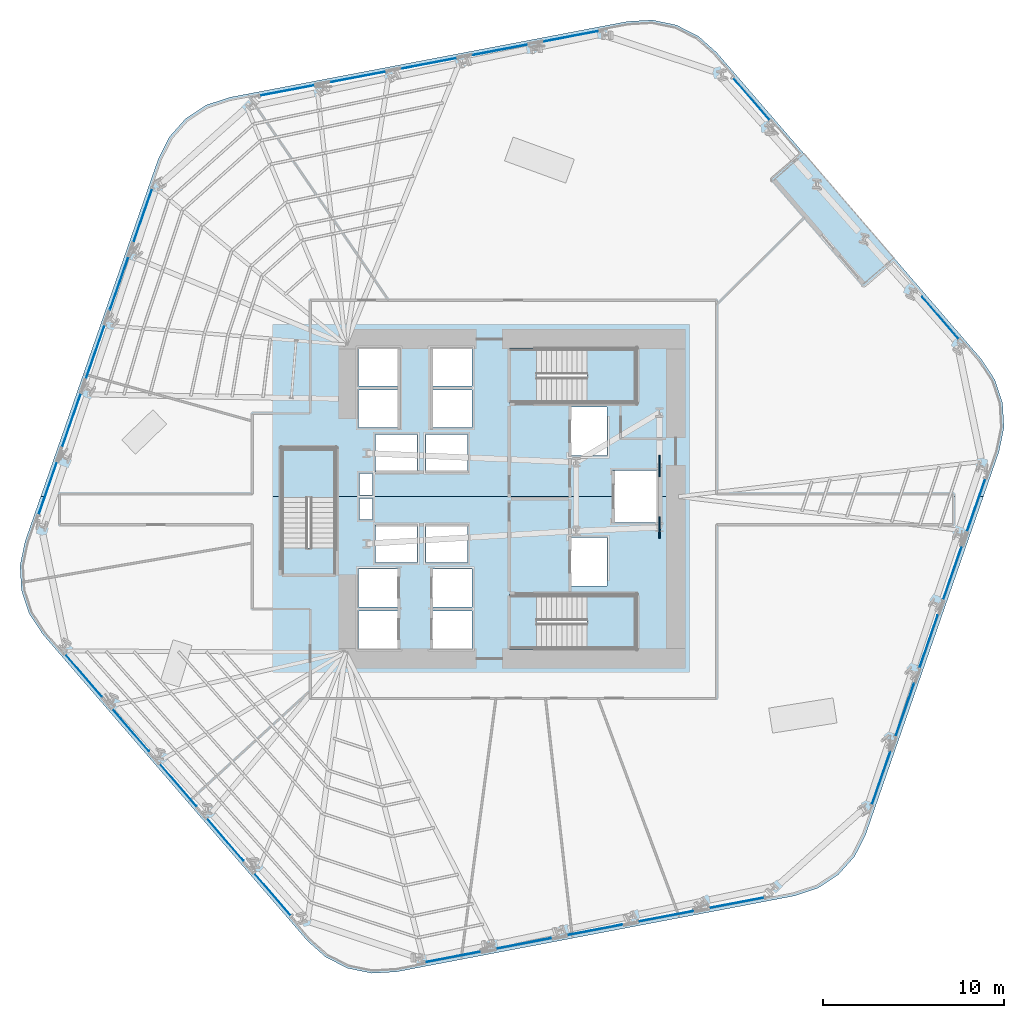
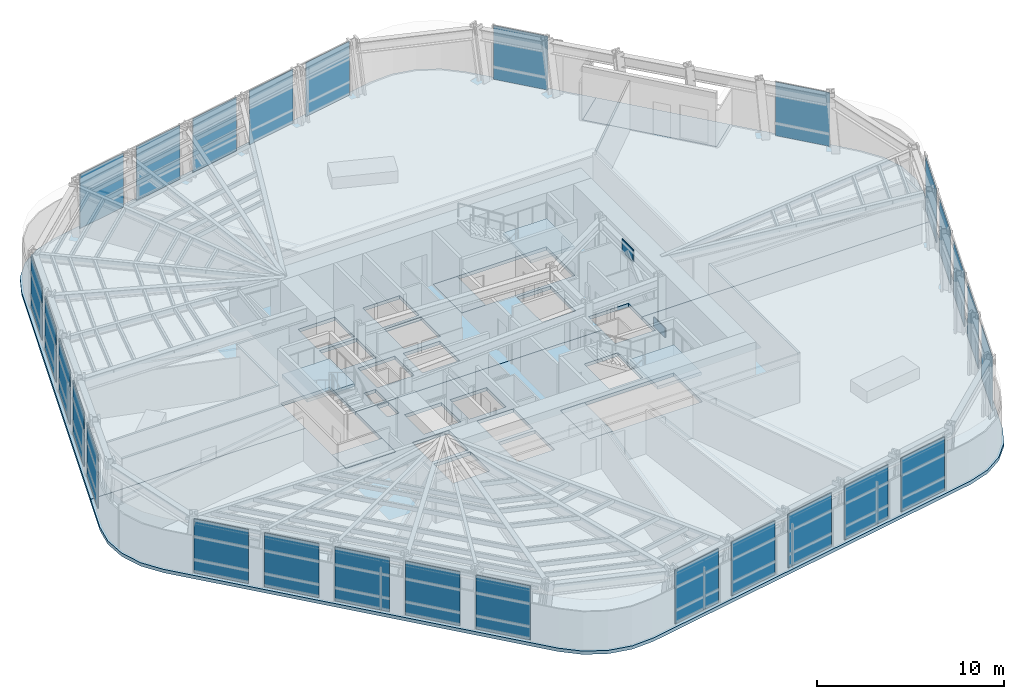
# One storey, part 7 of 18: 29 plates, 9 slabs, 9 elements without a shape of their own.
"""IFC4 building model written with IfcOpenShell, lengths in metres."""

from ifc_helpers import new_model, si_unit, direction, frame, origin, origin_2d, place, context, subcontext, project, spatial, polyline, rectangle, outline, extrude, material, layer, layer_set, type_object, element, aggregate, save


model = new_model("IFC4")

# Units and contexts
model_context = context("Model", 3, precision=1e-05, world=origin(), true_north=direction((0.0, 1.0)))
body_context = subcontext(model_context, "Body", "Model", "MODEL_VIEW")
ifc_project = project(units=[si_unit("LENGTHUNIT", "METRE"), si_unit("AREAUNIT", "SQUARE_METRE"), si_unit("VOLUMEUNIT", "CUBIC_METRE"), si_unit("PLANEANGLEUNIT", "RADIAN"), si_unit("MASSUNIT", "GRAM", prefix="KILO")], contexts=[model_context])

# Site, building, storey
site_placement = place(None, origin())
site = spatial("IfcSite", under=ifc_project, at=site_placement, CompositionType="ELEMENT")
building_placement = place(site_placement, origin())
building = spatial("IfcBuilding", under=site, at=building_placement, Name="Valkerne Bourse Tower", CompositionType="ELEMENT")
storey_placement = place(building_placement, frame((0.0, 0.0, 69.60009765625)))
storey = spatial("IfcBuildingStorey", under=building, at=storey_placement, Name="L17", CompositionType="ELEMENT", Elevation=69.60009765625)

# Curtain wall, plates
ifc_material_1 = material(Name="Aluminium AA 6063-T6", Category="aluminium")
ifc_layer_1 = layer(ifc_material_1, 0.22509765625)
ifc_layer_set_1 = layer_set([ifc_layer_1], Name="Aluminium AA 6063-T6")
curtain_wall_type = type_object("IfcCurtainWallType", Name="CW-01", PredefinedType="NOTDEFINED", material=ifc_layer_set_1)
curtain_wall_1_placement = place(storey_placement, origin())
curtain_wall_1 = element("IfcCurtainWall", 1, at=curtain_wall_1_placement, inside=storey, type_object=curtain_wall_type, Name="L17 Hexagonal Stick Curtain Wall Face 1", PredefinedType="NOTDEFINED")
ifc_material_2 = material(Name="Glass IGU Low-E Double Glazed", Category="glass")
ifc_layer_2 = layer(ifc_material_2, 0.031982421875)
ifc_layer_set_2 = layer_set([ifc_layer_2], Name="Glass IGU Low-E Double Glazed")
plate_type_1 = type_object("IfcPlateType", Name="CW-PNL-IGU-32", PredefinedType="CURTAIN_PANEL", material=ifc_layer_set_2)
plate_1_placement = place(storey_placement, frame((70.4716796875, 36.87548828125, 0.02978515625), z_axis=(0.0, 0.0, 1.0), x_axis=(-0.653417213968, 0.756997981827, 0.0)))
plate_1 = element("IfcPlate", 2, at=plate_1_placement, type_object=plate_type_1, Name="CW-L17-F1 Curtain Panel 00", PredefinedType="CURTAIN_PANEL", context=body_context, shape_type="SweptSolid", body=[
    extrude(rectangle(XDim=3.075927734375, YDim=0.031982421875, at=origin_2d()), origin(), (0.0, 0.0, 1.0), 3.52001953125),
])
plate_2_placement = place(storey_placement, frame((60.027587890625, 48.97509765625, 0.02978515625), z_axis=(0.0, 0.0, 1.0), x_axis=(-0.653431554417, 0.756985603358, 0.0)))
plate_2 = element("IfcPlate", 3, at=plate_2_placement, type_object=plate_type_1, Name="CW-L17-F1 Curtain Panel 04", PredefinedType="CURTAIN_PANEL", context=body_context, shape_type="SweptSolid", body=[
    extrude(rectangle(XDim=3.075927734375, YDim=0.031982421875, at=origin_2d()), origin(), (0.0, 0.0, 1.0), 3.52001953125),
])
aggregate(curtain_wall_1, [plate_1, plate_2])

curtain_wall_2_placement = place(storey_placement, origin())
curtain_wall_2 = element("IfcCurtainWall", 4, at=curtain_wall_2_placement, inside=storey, type_object=curtain_wall_type, Name="L17 Hexagonal Stick Curtain Wall Face 2", PredefinedType="NOTDEFINED")
plate_3_placement = place(storey_placement, frame((50.08349609375, 52.43798828125, 0.02978515625), z_axis=(0.0, 0.0, 1.0), x_axis=(-0.982286837182, -0.187383482463, 0.0)))
plate_3 = element("IfcPlate", 5, at=plate_3_placement, type_object=plate_type_1, Name="CW-L17-F2 Curtain Panel 00", PredefinedType="CURTAIN_PANEL", context=body_context, shape_type="SweptSolid", body=[
    extrude(rectangle(XDim=3.075927734375, YDim=0.031982421875, at=origin_2d()), origin(), (0.0, 0.0, 1.0), 3.52001953125),
])
plate_4_placement = place(storey_placement, frame((46.158203125, 51.689208984375, 0.02978515625), z_axis=(0.0, 0.0, 1.0), x_axis=(-0.982285958477, -0.187388088679, 0.0)))
plate_4 = element("IfcPlate", 6, at=plate_4_placement, type_object=plate_type_1, Name="CW-L17-F2 Curtain Panel 01", PredefinedType="CURTAIN_PANEL", context=body_context, shape_type="SweptSolid", body=[
    extrude(rectangle(XDim=3.075927734375, YDim=0.031982421875, at=origin_2d()), origin(), (0.0, 0.0, 1.0), 3.52001953125),
])
plate_5_placement = place(storey_placement, frame((42.23291015625, 50.9404296875, 0.02978515625), z_axis=(0.0, 0.0, 1.0), x_axis=(-0.982285958477, -0.187388088679, 0.0)))
plate_5 = element("IfcPlate", 7, at=plate_5_placement, type_object=plate_type_1, Name="CW-L17-F2 Curtain Panel 02", PredefinedType="CURTAIN_PANEL", context=body_context, shape_type="SweptSolid", body=[
    extrude(rectangle(XDim=3.075927734375, YDim=0.031982421875, at=origin_2d()), origin(), (0.0, 0.0, 1.0), 3.52001953125),
])
plate_6_placement = place(storey_placement, frame((38.307861328125, 50.191650390625, 0.02978515625), z_axis=(0.0, 0.0, 1.0), x_axis=(-0.982290564542, -0.187363942135, 0.0)))
plate_6 = element("IfcPlate", 8, at=plate_6_placement, type_object=plate_type_1, Name="CW-L17-F2 Curtain Panel 03", PredefinedType="CURTAIN_PANEL", context=body_context, shape_type="SweptSolid", body=[
    extrude(rectangle(XDim=3.075927734375, YDim=0.031982421875, at=origin_2d()), origin(), (0.0, 0.0, 1.0), 3.52001953125),
])
plate_7_placement = place(storey_placement, frame((34.382568359375, 49.443115234375, 0.02978515625), z_axis=(0.0, 0.0, 1.0), x_axis=(-0.982285958477, -0.187388088679, 0.0)))
plate_7 = element("IfcPlate", 9, at=plate_7_placement, type_object=plate_type_1, Name="CW-L17-F2 Curtain Panel 04", PredefinedType="CURTAIN_PANEL", context=body_context, shape_type="SweptSolid", body=[
    extrude(rectangle(XDim=3.075927734375, YDim=0.031982421875, at=origin_2d()), origin(), (0.0, 0.0, 1.0), 3.52001953125),
])
aggregate(curtain_wall_2, [plate_3, plate_4, plate_5, plate_6, plate_7])

curtain_wall_3_placement = place(storey_placement, origin())
curtain_wall_3 = element("IfcCurtainWall", 10, at=curtain_wall_3_placement, inside=storey, type_object=curtain_wall_type, Name="L17 Hexagonal Stick Curtain Wall Face 3", PredefinedType="NOTDEFINED")
plate_8_placement = place(storey_placement, frame((26.411865234375, 42.562744140625, 0.02978515625), z_axis=(0.0, 0.0, 1.0), x_axis=(-0.328857411624, -0.944379586194, 0.0)))
plate_8 = element("IfcPlate", 11, at=plate_8_placement, type_object=plate_type_1, Name="CW-L17-F3 Curtain Panel 00", PredefinedType="CURTAIN_PANEL", context=body_context, shape_type="SweptSolid", body=[
    extrude(rectangle(XDim=3.075927734375, YDim=0.031982421875, at=origin_2d()), origin(), (0.0, 0.0, 1.0), 3.52001953125),
])
plate_9_placement = place(storey_placement, frame((25.09765625, 38.7890625, 0.02978515625), z_axis=(0.0, 0.0, 1.0), x_axis=(-0.328879730217, -0.944371813987, 0.0)))
plate_9 = element("IfcPlate", 12, at=plate_9_placement, type_object=plate_type_1, Name="CW-L17-F3 Curtain Panel 01", PredefinedType="CURTAIN_PANEL", context=body_context, shape_type="SweptSolid", body=[
    extrude(rectangle(XDim=3.075927734375, YDim=0.031982421875, at=origin_2d()), origin(), (0.0, 0.0, 1.0), 3.52001953125),
])
plate_10_placement = place(storey_placement, frame((23.783447265625, 35.01513671875, 0.02978515625), z_axis=(0.0, 0.0, 1.0), x_axis=(-0.328849639785, -0.944382292514, 0.0)))
plate_10 = element("IfcPlate", 13, at=plate_10_placement, type_object=plate_type_1, Name="CW-L17-F3 Curtain Panel 02", PredefinedType="CURTAIN_PANEL", context=body_context, shape_type="SweptSolid", body=[
    extrude(rectangle(XDim=3.076171875, YDim=0.031982421875, at=origin_2d()), origin(), (0.0, 0.0, 1.0), 3.52001953125),
])
plate_11_placement = place(storey_placement, frame((22.46923828125, 31.241455078125, 0.02978515625), z_axis=(0.0, 0.0, 1.0), x_axis=(-0.328879730217, -0.944371813987, 0.0)))
plate_11 = element("IfcPlate", 14, at=plate_11_placement, type_object=plate_type_1, Name="CW-L17-F3 Curtain Panel 03", PredefinedType="CURTAIN_PANEL", context=body_context, shape_type="SweptSolid", body=[
    extrude(rectangle(XDim=3.075927734375, YDim=0.031982421875, at=origin_2d()), origin(), (0.0, 0.0, 1.0), 3.52001953125),
])
plate_12_placement = place(storey_placement, frame((21.155029296875, 27.4677734375, 0.02978515625), z_axis=(0.0, 0.0, 1.0), x_axis=(-0.328857411624, -0.944379586194, 0.0)))
plate_12 = element("IfcPlate", 15, at=plate_12_placement, type_object=plate_type_1, Name="CW-L17-F3 Curtain Panel 04", PredefinedType="CURTAIN_PANEL", context=body_context, shape_type="SweptSolid", body=[
    extrude(rectangle(XDim=3.075927734375, YDim=0.031982421875, at=origin_2d()), origin(), (0.0, 0.0, 1.0), 3.52001953125),
])
aggregate(curtain_wall_3, [plate_8, plate_9, plate_10, plate_11, plate_12])

curtain_wall_4_placement = place(storey_placement, origin())
curtain_wall_4 = element("IfcCurtainWall", 16, at=curtain_wall_4_placement, inside=storey, type_object=curtain_wall_type, Name="L17 Hexagonal Stick Curtain Wall Face 4", PredefinedType="NOTDEFINED")
plate_13_placement = place(storey_placement, frame((23.12841796875, 17.12451171875, 0.02978515625), z_axis=(0.0, 0.0, 1.0), x_axis=(0.653417213968, -0.756997981827, 0.0)))
plate_13 = element("IfcPlate", 17, at=plate_13_placement, type_object=plate_type_1, Name="CW-L17-F4 Curtain Panel 00", PredefinedType="CURTAIN_PANEL", context=body_context, shape_type="SweptSolid", body=[
    extrude(rectangle(XDim=3.075927734375, YDim=0.031982421875, at=origin_2d()), origin(), (0.0, 0.0, 1.0), 3.52001953125),
])
plate_14_placement = place(storey_placement, frame((25.7392578125, 14.099609375, 0.02978515625), z_axis=(0.0, 0.0, 1.0), x_axis=(0.653419176162, -0.756996288118, 0.0)))
plate_14 = element("IfcPlate", 18, at=plate_14_placement, type_object=plate_type_1, Name="CW-L17-F4 Curtain Panel 01", PredefinedType="CURTAIN_PANEL", context=body_context, shape_type="SweptSolid", body=[
    extrude(rectangle(XDim=3.075927734375, YDim=0.031982421875, at=origin_2d()), origin(), (0.0, 0.0, 1.0), 3.52001953125),
])
plate_15_placement = place(storey_placement, frame((28.350341796875, 11.07470703125, 0.02978515625), z_axis=(0.0, 0.0, 1.0), x_axis=(0.653431554417, -0.756985603358, 0.0)))
plate_15 = element("IfcPlate", 19, at=plate_15_placement, type_object=plate_type_1, Name="CW-L17-F4 Curtain Panel 02", PredefinedType="CURTAIN_PANEL", context=body_context, shape_type="SweptSolid", body=[
    extrude(rectangle(XDim=3.075927734375, YDim=0.031982421875, at=origin_2d()), origin(), (0.0, 0.0, 1.0), 3.52001953125),
])
plate_16_placement = place(storey_placement, frame((30.96142578125, 8.0498046875, 0.02978515625), z_axis=(0.0, 0.0, 1.0), x_axis=(0.65340483559, -0.757008666283, 0.0)))
plate_16 = element("IfcPlate", 20, at=plate_16_placement, type_object=plate_type_1, Name="CW-L17-F4 Curtain Panel 03", PredefinedType="CURTAIN_PANEL", context=body_context, shape_type="SweptSolid", body=[
    extrude(rectangle(XDim=3.075927734375, YDim=0.031982421875, at=origin_2d()), origin(), (0.0, 0.0, 1.0), 3.52001953125),
])
plate_17_placement = place(storey_placement, frame((33.572509765625, 5.02490234375, 0.02978515625), z_axis=(0.0, 0.0, 1.0), x_axis=(0.653431554417, -0.756985603358, 0.0)))
plate_17 = element("IfcPlate", 21, at=plate_17_placement, type_object=plate_type_1, Name="CW-L17-F4 Curtain Panel 04", PredefinedType="CURTAIN_PANEL", context=body_context, shape_type="SweptSolid", body=[
    extrude(rectangle(XDim=3.075927734375, YDim=0.031982421875, at=origin_2d()), origin(), (0.0, 0.0, 1.0), 3.52001953125),
])
aggregate(curtain_wall_4, [plate_13, plate_14, plate_15, plate_16, plate_17])

curtain_wall_5_placement = place(storey_placement, origin())
curtain_wall_5 = element("IfcCurtainWall", 22, at=curtain_wall_5_placement, inside=storey, type_object=curtain_wall_type, Name="L17 Hexagonal Stick Curtain Wall Face 5", PredefinedType="NOTDEFINED")
plate_18_placement = place(storey_placement, frame((43.516357421875, 1.56201171875, 0.02978515625), z_axis=(0.0, 0.0, 1.0), x_axis=(0.982286837182, 0.187383482463, 0.0)))
plate_18 = element("IfcPlate", 23, at=plate_18_placement, type_object=plate_type_1, Name="CW-L17-F5 Curtain Panel 00", PredefinedType="CURTAIN_PANEL", context=body_context, shape_type="SweptSolid", body=[
    extrude(rectangle(XDim=3.075927734375, YDim=0.031982421875, at=origin_2d()), origin(), (0.0, 0.0, 1.0), 3.52001953125),
])
plate_19_placement = place(storey_placement, frame((47.441650390625, 2.310791015625, 0.02978515625), z_axis=(0.0, 0.0, 1.0), x_axis=(0.982285958477, 0.187388088679, 0.0)))
plate_19 = element("IfcPlate", 24, at=plate_19_placement, type_object=plate_type_1, Name="CW-L17-F5 Curtain Panel 01", PredefinedType="CURTAIN_PANEL", context=body_context, shape_type="SweptSolid", body=[
    extrude(rectangle(XDim=3.075927734375, YDim=0.031982421875, at=origin_2d()), origin(), (0.0, 0.0, 1.0), 3.52001953125),
])
plate_20_placement = place(storey_placement, frame((51.366943359375, 3.0595703125, 0.02978515625), z_axis=(0.0, 0.0, 1.0), x_axis=(0.982285958477, 0.187388088679, 0.0)))
plate_20 = element("IfcPlate", 25, at=plate_20_placement, type_object=plate_type_1, Name="CW-L17-F5 Curtain Panel 02", PredefinedType="CURTAIN_PANEL", context=body_context, shape_type="SweptSolid", body=[
    extrude(rectangle(XDim=3.075927734375, YDim=0.031982421875, at=origin_2d()), origin(), (0.0, 0.0, 1.0), 3.52001953125),
])
plate_21_placement = place(storey_placement, frame((55.2919921875, 3.808349609375, 0.02978515625), z_axis=(0.0, 0.0, 1.0), x_axis=(0.982290564542, 0.187363942135, 0.0)))
plate_21 = element("IfcPlate", 26, at=plate_21_placement, type_object=plate_type_1, Name="CW-L17-F5 Curtain Panel 03", PredefinedType="CURTAIN_PANEL", context=body_context, shape_type="SweptSolid", body=[
    extrude(rectangle(XDim=3.075927734375, YDim=0.031982421875, at=origin_2d()), origin(), (0.0, 0.0, 1.0), 3.52001953125),
])
plate_22_placement = place(storey_placement, frame((59.21728515625, 4.556884765625, 0.02978515625), z_axis=(0.0, 0.0, 1.0), x_axis=(0.982285958477, 0.187388088679, 0.0)))
plate_22 = element("IfcPlate", 27, at=plate_22_placement, type_object=plate_type_1, Name="CW-L17-F5 Curtain Panel 04", PredefinedType="CURTAIN_PANEL", context=body_context, shape_type="SweptSolid", body=[
    extrude(rectangle(XDim=3.075927734375, YDim=0.031982421875, at=origin_2d()), origin(), (0.0, 0.0, 1.0), 3.52001953125),
])
aggregate(curtain_wall_5, [plate_18, plate_19, plate_20, plate_21, plate_22])

curtain_wall_6_placement = place(storey_placement, origin())
curtain_wall_6 = element("IfcCurtainWall", 28, at=curtain_wall_6_placement, inside=storey, type_object=curtain_wall_type, Name="L17 Hexagonal Stick Curtain Wall Face 6", PredefinedType="NOTDEFINED")
plate_23_placement = place(storey_placement, frame((67.188232421875, 11.437255859375, 0.02978515625), z_axis=(0.0, 0.0, 1.0), x_axis=(0.328857411624, 0.944379586194, 0.0)))
plate_23 = element("IfcPlate", 29, at=plate_23_placement, type_object=plate_type_1, Name="CW-L17-F6 Curtain Panel 00", PredefinedType="CURTAIN_PANEL", context=body_context, shape_type="SweptSolid", body=[
    extrude(rectangle(XDim=3.075927734375, YDim=0.031982421875, at=origin_2d()), origin(), (0.0, 0.0, 1.0), 3.52001953125),
])
plate_24_placement = place(storey_placement, frame((68.50244140625, 15.2109375, 0.02978515625), z_axis=(0.0, 0.0, 1.0), x_axis=(0.328879730217, 0.944371813987, 0.0)))
plate_24 = element("IfcPlate", 30, at=plate_24_placement, type_object=plate_type_1, Name="CW-L17-F6 Curtain Panel 01", PredefinedType="CURTAIN_PANEL", context=body_context, shape_type="SweptSolid", body=[
    extrude(rectangle(XDim=3.075927734375, YDim=0.031982421875, at=origin_2d()), origin(), (0.0, 0.0, 1.0), 3.52001953125),
])
plate_25_placement = place(storey_placement, frame((69.816650390625, 18.98486328125, 0.02978515625), z_axis=(0.0, 0.0, 1.0), x_axis=(0.328849639785, 0.944382292514, 0.0)))
plate_25 = element("IfcPlate", 31, at=plate_25_placement, type_object=plate_type_1, Name="CW-L17-F6 Curtain Panel 02", PredefinedType="CURTAIN_PANEL", context=body_context, shape_type="SweptSolid", body=[
    extrude(rectangle(XDim=3.076171875, YDim=0.031982421875, at=origin_2d()), origin(), (0.0, 0.0, 1.0), 3.52001953125),
])
plate_26_placement = place(storey_placement, frame((71.130615234375, 22.758544921875, 0.02978515625), z_axis=(0.0, 0.0, 1.0), x_axis=(0.328879730217, 0.944371813987, 0.0)))
plate_26 = element("IfcPlate", 32, at=plate_26_placement, type_object=plate_type_1, Name="CW-L17-F6 Curtain Panel 03", PredefinedType="CURTAIN_PANEL", context=body_context, shape_type="SweptSolid", body=[
    extrude(rectangle(XDim=3.075927734375, YDim=0.031982421875, at=origin_2d()), origin(), (0.0, 0.0, 1.0), 3.52001953125),
])
plate_27_placement = place(storey_placement, frame((72.44482421875, 26.5322265625, 0.02978515625), z_axis=(0.0, 0.0, 1.0), x_axis=(0.328857411624, 0.944379586194, 0.0)))
plate_27 = element("IfcPlate", 33, at=plate_27_placement, type_object=plate_type_1, Name="CW-L17-F6 Curtain Panel 04", PredefinedType="CURTAIN_PANEL", context=body_context, shape_type="SweptSolid", body=[
    extrude(rectangle(XDim=3.075927734375, YDim=0.031982421875, at=origin_2d()), origin(), (0.0, 0.0, 1.0), 3.52001953125),
])
aggregate(curtain_wall_6, [plate_23, plate_24, plate_25, plate_26, plate_27])

# Plates
ifc_material_3 = material(Name="Steel ASTM A572 Grade 50", Category="steel")
ifc_layer_3 = layer(ifc_material_3, 0.06005859375)
ifc_layer_set_3 = layer_set([ifc_layer_3], Name="Steel ASTM A572 Grade 50")
plate_type_2 = type_object("IfcPlateType", Name="PLT-GUS-60", PredefinedType="SHEET", material=ifc_layer_set_3)
for number, where, z_axis, x_axis, name in (
    (34, (54.949951171875, 25.300048828125, -0.18017578125), (0.0, 0.0, 1.0), (0.0, 1.0, 0.0), "L17 Brace Node Gusset Plate PLT-GUS-END-L17-350"),
    (35, (54.949951171875, 28.699951171875, 2.8740234375), (0.0, 0.0, 1.0), (0.0, 1.0, 0.0), "L17 Brace Node Gusset Plate PLT-GUS-END-L17-351"),
):
    element("IfcPlate", number, at=place(storey_placement, frame(where, z_axis=z_axis, x_axis=x_axis)), inside=storey, type_object=plate_type_2, Name=name, PredefinedType="SHEET", context=body_context, shape_type="SweptSolid", body=[
        extrude(rectangle(XDim=1.199951171875, YDim=0.06005859375, at=origin_2d()), origin(), (0.0, 0.0, 1.0), 0.800048828125),
    ])

# Slabs
ifc_material_4 = material(Name="Concrete C40/50", Category="concrete")
ifc_layer_4 = layer(ifc_material_4, 0.25)
ifc_layer_set_4 = layer_set([ifc_layer_4], Name="Concrete C40/50")
slab_type_1 = type_object("IfcSlabType", Name="SLB-RMP-LND-250", PredefinedType="LANDING", material=ifc_layer_set_4)
slab_1_placement = place(storey_placement, frame((0.0, 0.0, -0.22021484375)))
element("IfcSlab", 36, at=slab_1_placement, inside=storey, type_object=slab_type_1, Name="L17 ST-1 Floor Landing Slab", PredefinedType="LANDING", context=body_context, shape_type="SweptSolid", body=[
    extrude(outline(polyline([(46.669921875, 18.5400390625), (48.14990234375, 18.5400390625), (48.14990234375, 21.610107421875), (46.669921875, 21.610107421875), (46.669921875, 18.5400390625)])), origin(), (0.0, 0.0, 1.0), 0.22021484375),
])
slab_2_placement = place(storey_placement, frame((0.0, 0.0, -0.22021484375)))
element("IfcSlab", 37, at=slab_2_placement, inside=storey, type_object=slab_type_1, Name="L17 ST-2 Floor Landing Slab", PredefinedType="LANDING", context=body_context, shape_type="SweptSolid", body=[
    extrude(outline(polyline([(46.669921875, 32.139892578125), (48.14990234375, 32.139892578125), (48.14990234375, 35.2099609375), (46.669921875, 35.2099609375), (46.669921875, 32.139892578125)])), origin(), (0.0, 0.0, 1.0), 0.22021484375),
])
slab_3_placement = place(storey_placement, frame((0.0, 0.0, -0.22021484375)))
element("IfcSlab", 38, at=slab_3_placement, inside=storey, type_object=slab_type_1, Name="L17 ST-3 Floor Landing Slab", PredefinedType="LANDING", context=body_context, shape_type="SweptSolid", body=[
    extrude(outline(polyline([(37.110107421875, 22.669921875), (37.110107421875, 24.14990234375), (34.0400390625, 24.14990234375), (34.0400390625, 22.669921875), (37.110107421875, 22.669921875)])), origin(), (0.0, 0.0, 1.0), 0.22021484375),
])

# Stair, slab
stair_type = type_object("IfcStairType", Name="ST-CORE-1400", PredefinedType="HALF_TURN_STAIR", material=ifc_material_4)
stair_1_placement = place(storey_placement, origin())
stair_1 = element("IfcStair", 39, at=stair_1_placement, inside=storey, type_object=stair_type, Name="L17 ST-1", PredefinedType="HALF_TURN_STAIR")
ifc_layer_5 = layer(ifc_material_4, 0.179931640625)
ifc_layer_set_5 = layer_set([ifc_layer_5], Name="Concrete C40/50")
slab_type_2 = type_object("IfcSlabType", Name="SLB-ST-LND-180", PredefinedType="LANDING", material=ifc_layer_set_5)
slab_4_placement = place(storey_placement, frame((0.0, 0.0, 1.699951171875)))
slab_4 = element("IfcSlab", 40, at=slab_4_placement, type_object=slab_type_2, Name="ST-1 landing 1", PredefinedType="LANDING", context=body_context, shape_type="SweptSolid", body=[
    extrude(outline(polyline([(50.949951171875, 18.60009765625), (53.64990234375, 18.60009765625), (53.64990234375, 21.550048828125), (50.949951171875, 21.550048828125), (50.949951171875, 18.60009765625)])), origin(), (0.0, 0.0, 1.0), 0.199951171875),
])
aggregate(stair_1, [slab_4])

stair_2_placement = place(storey_placement, origin())
stair_2 = element("IfcStair", 41, at=stair_2_placement, inside=storey, type_object=stair_type, Name="L17 ST-2", PredefinedType="HALF_TURN_STAIR")
slab_5_placement = place(storey_placement, frame((0.0, 0.0, 1.699951171875)))
slab_5 = element("IfcSlab", 42, at=slab_5_placement, type_object=slab_type_2, Name="ST-2 landing 1", PredefinedType="LANDING", context=body_context, shape_type="SweptSolid", body=[
    extrude(outline(polyline([(50.949951171875, 32.199951171875), (53.64990234375, 32.199951171875), (53.64990234375, 35.14990234375), (50.949951171875, 35.14990234375), (50.949951171875, 32.199951171875)])), origin(), (0.0, 0.0, 1.0), 0.199951171875),
])
aggregate(stair_2, [slab_5])

stair_3_placement = place(storey_placement, origin())
stair_3 = element("IfcStair", 43, at=stair_3_placement, inside=storey, type_object=stair_type, Name="L17 ST-3", PredefinedType="HALF_TURN_STAIR")
slab_6_placement = place(storey_placement, frame((0.0, 0.0, 1.699951171875)))
slab_6 = element("IfcSlab", 44, at=slab_6_placement, type_object=slab_type_2, Name="ST-3 landing 1", PredefinedType="LANDING", context=body_context, shape_type="SweptSolid", body=[
    extrude(outline(polyline([(37.050048828125, 26.949951171875), (37.050048828125, 29.64990234375), (34.10009765625, 29.64990234375), (34.10009765625, 26.949951171875), (37.050048828125, 26.949951171875)])), origin(), (0.0, 0.0, 1.0), 0.199951171875),
])
aggregate(stair_3, [slab_6])

# Slabs
ifc_layer_6 = layer(ifc_material_4, 0.199951171875)
ifc_layer_set_6 = layer_set([ifc_layer_6], Name="Concrete C40/50")
slab_type_3 = type_object("IfcSlabType", Name="SLB-TER-200", PredefinedType="FLOOR", material=ifc_layer_set_6)
slab_7_placement = place(storey_placement, frame((0.0, 0.0, -0.2001953125)))
element("IfcSlab", 45, at=slab_7_placement, inside=storey, type_object=slab_type_3, Name="L17 V-Notch Stepped Outdoor Terrace Slab", PredefinedType="FLOOR", context=body_context, shape_type="SweptSolid", body=[
    extrude(outline(polyline([(67.9013671875, 40.1943359375), (66.236083984375, 38.7568359375), (61.27001953125, 44.510009765625), (62.935302734375, 45.947509765625), (67.9013671875, 40.1943359375)])), origin(), (0.0, 0.0, 1.0), 0.2001953125),
])
ifc_layer_7 = layer(ifc_material_4, 0.219970703125)
ifc_layer_set_7 = layer_set([ifc_layer_7], Name="Concrete C40/50")
slab_type_4 = type_object("IfcSlabType", Name="SLB-TOW-220", PredefinedType="FLOOR", material=ifc_layer_set_7)
slab_8_placement = place(storey_placement, frame((0.0, 0.0, -0.22021484375)))
element("IfcSlab", 46, at=slab_8_placement, inside=storey, type_object=slab_type_4, Name="L17 Hexagonal Composite Floor Slab S", PredefinedType="FLOOR", context=body_context, shape_type="SweptSolid", body=[
    extrude(outline(polyline([(66.344482421875, 8.336669921875), (65.734619140625, 7.123779296875), (64.83154296875, 6.1103515625), (63.697021484375, 5.364990234375), (62.408203125, 4.938720703125), (40.4091796875, 0.7421875), (39.053955078125, 0.6640625), (37.724609375, 0.939453125), (36.511962890625, 1.54931640625), (35.49853515625, 2.452392578125), (20.86474609375, 19.40576171875), (20.119384765625, 20.540283203125), (19.693115234375, 21.8291015625), (19.614990234375, 23.184326171875), (19.890380859375, 24.513671875), (20.75634765625, 27.0), (34.034912109375, 27.0), (34.034912109375, 22.6650390625), (37.114990234375, 22.6650390625), (37.114990234375, 27.0), (52.360107421875, 27.0), (52.360107421875, 25.56005859375), (54.840087890625, 25.56005859375), (54.840087890625, 27.0), (72.84375, 27.0), (66.344482421875, 8.336669921875)]), holes=[polyline([(40.590087890625, 20.68994140625), (38.31005859375, 20.68994140625), (38.31005859375, 18.610107421875), (40.590087890625, 18.610107421875), (40.590087890625, 20.68994140625)]), polyline([(40.590087890625, 22.989990234375), (38.31005859375, 22.989990234375), (38.31005859375, 20.909912109375), (40.590087890625, 20.909912109375), (40.590087890625, 22.989990234375)]), polyline([(41.5400390625, 25.43994140625), (39.260009765625, 25.43994140625), (39.260009765625, 23.360107421875), (41.5400390625, 23.360107421875), (41.5400390625, 25.43994140625)]), polyline([(39.10009765625, 25.72998046875), (39.10009765625, 26.89990234375), (38.3798828125, 26.89990234375), (38.3798828125, 25.72998046875), (39.10009765625, 25.72998046875)]), polyline([(44.590087890625, 20.68994140625), (42.31005859375, 20.68994140625), (42.31005859375, 18.610107421875), (44.590087890625, 18.610107421875), (44.590087890625, 20.68994140625)]), polyline([(53.675048828125, 21.614990234375), (46.6650390625, 21.614990234375), (46.6650390625, 18.534912109375), (53.675048828125, 18.534912109375), (53.675048828125, 21.614990234375)]), polyline([(44.590087890625, 22.989990234375), (42.31005859375, 22.989990234375), (42.31005859375, 20.909912109375), (44.590087890625, 20.909912109375), (44.590087890625, 22.989990234375)]), polyline([(52.0400390625, 22.06005859375), (52.0400390625, 24.739990234375), (49.9599609375, 24.739990234375), (49.9599609375, 22.06005859375), (52.0400390625, 22.06005859375)]), polyline([(44.340087890625, 23.360107421875), (44.340087890625, 25.43994140625), (42.06005859375, 25.43994140625), (42.06005859375, 23.360107421875), (44.340087890625, 23.360107421875)])]), origin(), (0.0, 0.0, 1.0), 0.22021484375),
])
slab_9_placement = place(storey_placement, frame((0.0, 0.0, -0.22021484375)))
element("IfcSlab", 47, at=slab_9_placement, inside=storey, type_object=slab_type_4, Name="L17 Hexagonal Composite Floor Slab N", PredefinedType="FLOOR", context=body_context, shape_type="SweptSolid", body=[
    extrude(outline(polyline([(73.90673828125, 32.1708984375), (73.98486328125, 30.815673828125), (73.709716796875, 29.486328125), (72.84375, 27.0), (54.840087890625, 27.0), (54.840087890625, 28.43994140625), (52.360107421875, 28.43994140625), (52.360107421875, 27.0), (37.114990234375, 27.0), (37.114990234375, 29.675048828125), (34.034912109375, 29.675048828125), (34.034912109375, 27.0), (20.75634765625, 27.0), (27.255615234375, 45.663330078125), (27.865478515625, 46.876220703125), (28.7685546875, 47.8896484375), (29.903076171875, 48.635009765625), (31.19189453125, 49.061279296875), (53.19091796875, 53.2578125), (54.5458984375, 53.3359375), (55.875244140625, 53.060546875), (57.087890625, 52.45068359375), (58.1015625, 51.547607421875), (62.935302734375, 45.947509765625), (61.27001953125, 44.510009765625), (66.236083984375, 38.7568359375), (67.9013671875, 40.1943359375), (72.735107421875, 34.59423828125), (73.48046875, 33.459716796875), (73.90673828125, 32.1708984375)]), holes=[polyline([(39.10009765625, 28.27001953125), (38.3798828125, 28.27001953125), (38.3798828125, 27.10009765625), (39.10009765625, 27.10009765625), (39.10009765625, 28.27001953125)]), polyline([(41.5400390625, 30.43994140625), (39.260009765625, 30.43994140625), (39.260009765625, 28.360107421875), (41.5400390625, 28.360107421875), (41.5400390625, 30.43994140625)]), polyline([(44.340087890625, 30.43994140625), (42.06005859375, 30.43994140625), (42.06005859375, 28.360107421875), (44.340087890625, 28.360107421875), (44.340087890625, 30.43994140625)]), polyline([(40.590087890625, 30.81005859375), (40.590087890625, 32.889892578125), (38.31005859375, 32.889892578125), (38.31005859375, 30.81005859375), (40.590087890625, 30.81005859375)]), polyline([(40.590087890625, 33.110107421875), (40.590087890625, 35.18994140625), (38.31005859375, 35.18994140625), (38.31005859375, 33.110107421875), (40.590087890625, 33.110107421875)]), polyline([(52.0400390625, 31.93994140625), (49.9599609375, 31.93994140625), (49.9599609375, 29.260009765625), (52.0400390625, 29.260009765625), (52.0400390625, 31.93994140625)]), polyline([(44.590087890625, 32.889892578125), (42.31005859375, 32.889892578125), (42.31005859375, 30.81005859375), (44.590087890625, 30.81005859375), (44.590087890625, 32.889892578125)]), polyline([(53.675048828125, 32.135009765625), (53.675048828125, 35.215087890625), (46.6650390625, 35.215087890625), (46.6650390625, 32.135009765625), (53.675048828125, 32.135009765625)]), polyline([(44.590087890625, 33.110107421875), (44.590087890625, 35.18994140625), (42.31005859375, 35.18994140625), (42.31005859375, 33.110107421875), (44.590087890625, 33.110107421875)])]), origin(), (0.0, 0.0, 1.0), 0.22021484375),
])

save(model, "model.ifc")
